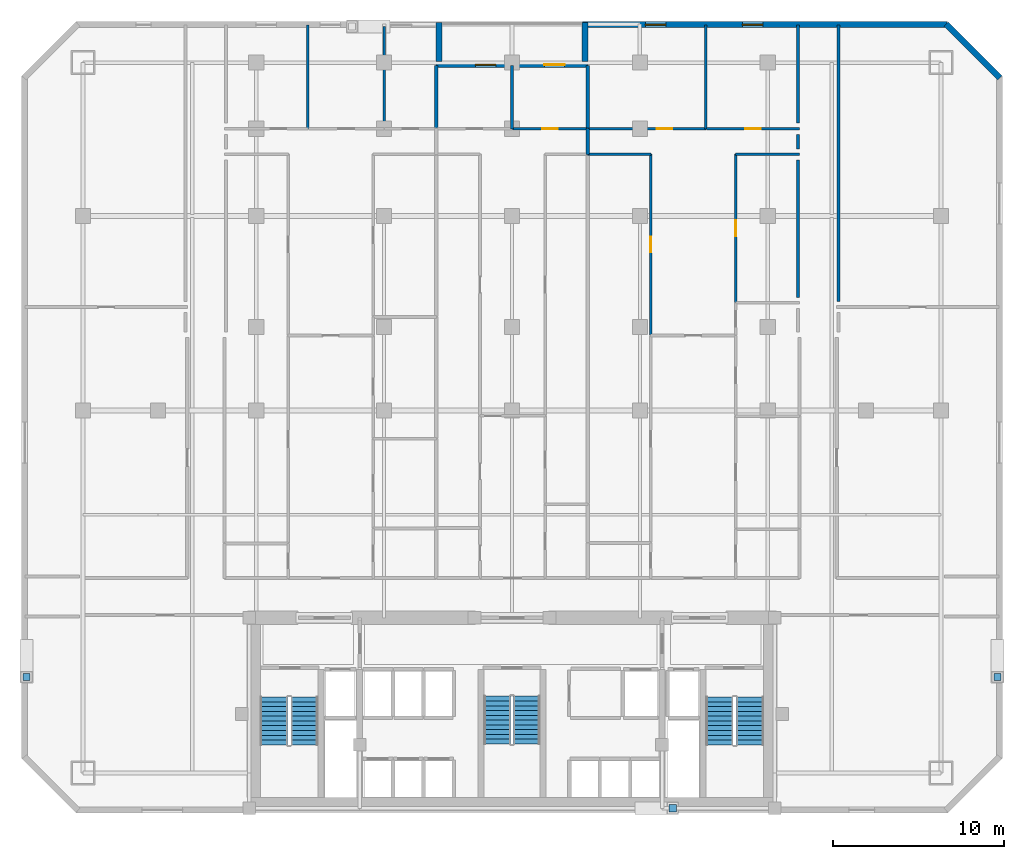
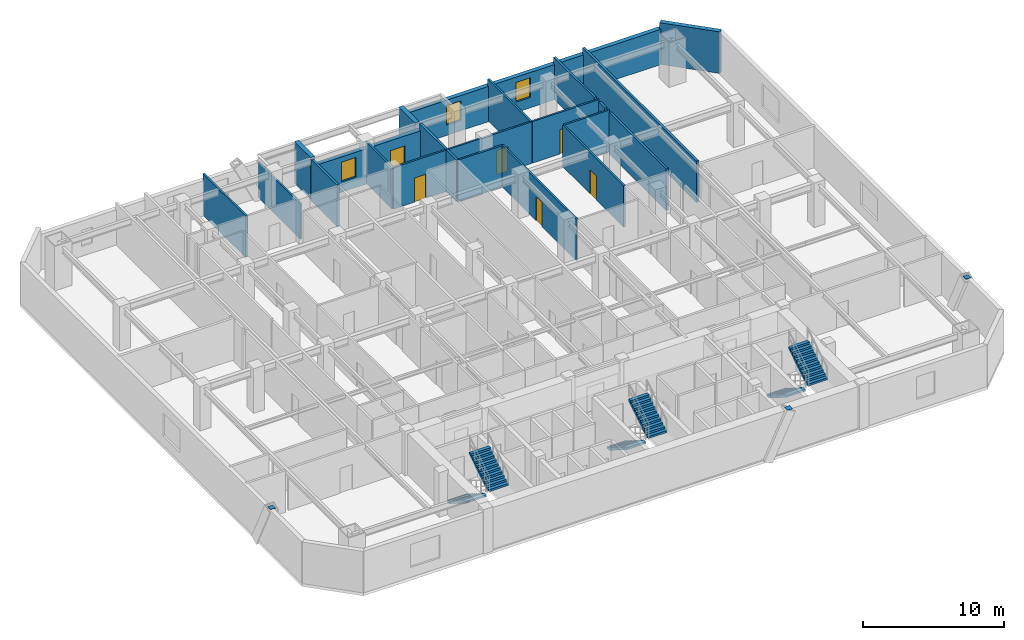
# One storey, part 7 of 9: 23 walls, 6 doors, 6 stair flights, 3 discrete accessories, 3 windows, 9 openings, 3 elements without a shape of their own.
"""IFC4 building model written with IfcOpenShell, lengths in metres."""

from ifc_helpers import new_model, si_unit, direction, frame, frame_2d, origin, origin_2d, place, context, subcontext, project, spatial, polyline, rectangle, outline, extrude, material, layer, layer_set, type_object, element, fill, aggregate, save


model = new_model("IFC4")

# Units and contexts
model_context = context("Model", 3, precision=1e-05, world=origin(), true_north=direction((0.0, 1.0)))
body_context = subcontext(model_context, "Body", "Model", "MODEL_VIEW")
ifc_project = project(units=[si_unit("LENGTHUNIT", "METRE"), si_unit("AREAUNIT", "SQUARE_METRE"), si_unit("VOLUMEUNIT", "CUBIC_METRE"), si_unit("PLANEANGLEUNIT", "RADIAN"), si_unit("MASSUNIT", "GRAM", prefix="KILO")], contexts=[model_context])

# Site, building, storey
site_placement = place(None, origin())
site = spatial("IfcSite", under=ifc_project, at=site_placement, CompositionType="ELEMENT")
building_placement = place(site_placement, origin())
building = spatial("IfcBuilding", under=site, at=building_placement, Name="Ventersveld Concourse Tower", CompositionType="ELEMENT")
storey_placement = place(building_placement, frame((0.0, 0.0, 45.199951171875)))
storey = spatial("IfcBuildingStorey", under=building, at=storey_placement, Name="L10", CompositionType="ELEMENT", Elevation=45.199951171875)

# Walls
ifc_material_1 = material(Name="Fire-rated autoclaved aerated masonry blockwork", Category="masonry")
ifc_layer_1 = layer(ifc_material_1, 0.179931640625)
ifc_layer_set_1 = layer_set([ifc_layer_1], Name="Fire-rated autoclaved aerated masonry blockwork")
wall_type_1 = type_object("IfcWallType", Name="WL-CORR-180", PredefinedType="PARTITIONING", material=ifc_layer_set_1)
wall_1_placement = place(storey_placement, frame((47.8798828125, 29.9951171875, 0.0), z_axis=(0.0, 0.0, 1.0), x_axis=(0.0, 1.0, 0.0)))
element("IfcWall", 1, at=wall_1_placement, inside=storey, type_object=wall_type_1, Name="L10 Room Enclosure Wall SP-L10-NELNG2", PredefinedType="PARTITIONING", context=body_context, shape_type="SweptSolid", body=[
    extrude(rectangle(XDim=16.19482421875, YDim=0.179931640625, at=frame_2d((8.097412109375, 0.0))), origin(), (0.0, 0.0, 1.0), 3.60009765625),
])
wall_2_placement = place(storey_placement, frame((45.52001953125, 39.794921875, 0.0), z_axis=(0.0, 0.0, 1.0), x_axis=(0.0, -1.0, 0.0)))
element("IfcWall", 2, at=wall_2_placement, inside=storey, type_object=wall_type_1, Name="L10 Room Enclosure Wall SP-L10-10CE-LIV", PredefinedType="PARTITIONING", context=body_context, shape_type="SweptSolid", body=[
    extrude(rectangle(XDim=0.849853515625, YDim=0.179931640625, at=frame_2d((0.4248046875, 0.0))), origin(), (0.0, 0.0, 1.0), 3.60009765625),
])
wall_3_placement = place(storey_placement, frame((45.52001953125, 38.294921875, 0.0), z_axis=(0.0, 0.0, 1.0), x_axis=(0.0, -1.0, 0.0)))
element("IfcWall", 3, at=wall_3_placement, inside=storey, type_object=wall_type_1, Name="L10 Room Enclosure Wall SP-L10-10CE-DENS2", PredefinedType="PARTITIONING", context=body_context, shape_type="SweptSolid", body=[
    extrude(rectangle(XDim=8.0615234375, YDim=0.179931640625, at=frame_2d((4.03076171875, 0.0))), origin(), (0.0, 0.0, 1.0), 3.60009765625),
])
wall_4_placement = place(storey_placement, frame((45.52001953125, 46.18994140625, 0.0), z_axis=(0.0, 0.0, 1.0), x_axis=(0.0, -1.0, 0.0)))
element("IfcWall", 4, at=wall_4_placement, inside=storey, type_object=wall_type_1, Name="L10 Room Enclosure Wall SP-L10-10CE-BR2", PredefinedType="PARTITIONING", context=body_context, shape_type="SweptSolid", body=[
    extrude(rectangle(XDim=5.744873046875, YDim=0.179931640625, at=frame_2d((2.87255859375, 0.0))), origin(), (0.0, 0.0, 1.0), 3.60009765625),
])
ifc_layer_2 = layer(ifc_material_1, 0.199951171875)
ifc_layer_set_2 = layer_set([ifc_layer_2], Name="Fire-rated autoclaved aerated masonry blockwork")
wall_type_2 = type_object("IfcWallType", Name="WL-DEMISE-200", PredefinedType="PARTITIONING", material=ifc_layer_set_2)
wall_5_placement = place(storey_placement, frame((24.31005859375, 40.155029296875, 0.0), z_axis=(0.0, 0.0, 1.0), x_axis=(0.0, 1.0, 0.0)))
element("IfcWall", 5, at=wall_5_placement, inside=storey, type_object=wall_type_2, Name="L10 Interior Partition SP-L10-10CW-BR3-SP-L10-10CM-BR1", PredefinedType="PARTITIONING", context=body_context, shape_type="SweptSolid", body=[
    extrude(rectangle(XDim=3.68505859375, YDim=0.199951171875, at=frame_2d((1.842529296875, 0.0))), origin(), (0.0, 0.0, 1.0), 3.60009765625),
])
wall_6_placement = place(storey_placement, frame((33.18994140625, 38.614990234375, 0.0), z_axis=(0.0, 0.0, 1.0), x_axis=(0.0, 1.0, 0.0)))
element("IfcWall", 6, at=wall_6_placement, inside=storey, type_object=wall_type_2, Name="L10 Interior Partition SP-L10-10CE-LIV-SP-L10-10CM-LIV", PredefinedType="PARTITIONING", context=body_context, shape_type="SweptSolid", body=[
    extrude(rectangle(XDim=1.510009765625, YDim=0.199951171875, at=frame_2d((0.7548828125, 0.0))), origin(), (0.0, 0.0, 1.0), 3.60009765625),
])
wall_7_placement = place(storey_placement, frame((33.18994140625, 40.155029296875, 0.0), z_axis=(0.0, 0.0, 1.0), x_axis=(0.0, 1.0, 0.0)))
element("IfcWall", 7, at=wall_7_placement, inside=storey, type_object=wall_type_2, Name="L10 Interior Partition SP-L10-10CE-BR1-SP-L10-10CM-BR2", PredefinedType="PARTITIONING", context=body_context, shape_type="SweptSolid", body=[
    extrude(rectangle(XDim=3.68505859375, YDim=0.199951171875, at=frame_2d((1.842529296875, 0.0))), origin(), (0.0, 0.0, 1.0), 3.60009765625),
])
ifc_material_2 = material(Name="Autoclaved aerated masonry blockwork", Category="masonry")
ifc_layer_3 = layer(ifc_material_2, 0.14990234375)
ifc_layer_set_3 = layer_set([ifc_layer_3], Name="Autoclaved aerated masonry blockwork")
wall_type_3 = type_object("IfcWallType", Name="WL-INT-150", PredefinedType="PARTITIONING", material=ifc_layer_set_3)
wall_8_placement = place(storey_placement, frame((16.7724609375, 40.114990234375, 0.0), z_axis=(0.0, 0.0, 1.0), x_axis=(0.0, 1.0, 0.0)))
element("IfcWall", 8, at=wall_8_placement, inside=storey, type_object=wall_type_3, Name="L10 Interior Partition SP-L10-10CW-BR1-SP-L10-10CW-BR2", PredefinedType="PARTITIONING", context=body_context, shape_type="SweptSolid", body=[
    extrude(rectangle(XDim=6.074951171875, YDim=0.14990234375, at=frame_2d((3.03759765625, 0.0))), origin(), (0.0, 0.0, 1.0), 3.60009765625),
])
wall_9_placement = place(storey_placement, frame((21.25, 40.114990234375, 0.0), z_axis=(0.0, 0.0, 1.0), x_axis=(0.0, 1.0, 0.0)))
element("IfcWall", 9, at=wall_9_placement, inside=storey, type_object=wall_type_3, Name="L10 Interior Partition SP-L10-10CW-BR2-SP-L10-10CW-BR3", PredefinedType="PARTITIONING", context=body_context, shape_type="SweptSolid", body=[
    extrude(rectangle(XDim=5.987060546875, YDim=0.14990234375, at=frame_2d((2.99365234375, 0.0))), origin(), (0.0, 0.0, 1.0), 3.0556640625),
])

# Wall, opening, door
wall_10_placement = place(storey_placement, frame((36.884521484375, 28.0341796875, 0.0), z_axis=(0.0, 0.0, 1.0), x_axis=(0.0, 1.0, 0.0)))
wall_10 = element("IfcWall", 10, at=wall_10_placement, inside=storey, type_object=wall_type_3, Name="L10 Interior Partition SP-L10-10CE-LIV-SP-L10-10CE-OFFL0", PredefinedType="PARTITIONING", context=body_context, shape_type="SweptSolid", body=[
    extrude(rectangle(XDim=10.5908203125, YDim=0.14990234375, at=frame_2d((5.29541015625, 0.0))), origin(), (0.0, 0.0, 1.0), 3.60009765625),
])
opening_1_placement = place(wall_10_placement, frame((4.835205078125, 0.0, 0.0)))
opening_1 = element("IfcOpeningElement", 11, at=opening_1_placement, cuts=wall_10, Name="Opening ID1", PredefinedType="OPENING", context=body_context, shape_type="SweptSolid", body=[
    extrude(rectangle(XDim=0.919921875, YDim=2.10009765625, at=frame_2d((0.4599609375, 1.050048828125))), frame((0.0, 0.0849609375, 0.0), z_axis=(0.0, -1.0, 0.0), x_axis=(1.0, 0.0, 0.0)), (0.0, 0.0, 1.0), 0.169921875),
])
ifc_material_3 = material(Name="Solid-core hardwood veneer timber", Category="wood")
door_type_1 = type_object("IfcDoorType", Name="DR-ROOM-092", OperationType="NOTDEFINED", PredefinedType="DOOR", material=ifc_material_3)
door_1_placement = place(opening_1_placement, origin())
door_1 = element("IfcDoor", 12, at=door_1_placement, inside=storey, type_object=door_type_1, Name="L10 Interior Door SP-L10-10CE-LIV to SP-L10-10CE-OFFL0 (D-L10-0397)", OperationType="SINGLE_SWING_LEFT", OverallHeight=2.10009765625, OverallWidth=0.919921875, PredefinedType="DOOR", context=body_context, shape_type="SweptSolid", body=[
    extrude(rectangle(XDim=0.919921875, YDim=2.10009765625, at=frame_2d((0.4599609375, 1.050048828125))), frame((0.0, 0.02490234375, 0.0), z_axis=(0.0, -1.0, 0.0), x_axis=(1.0, 0.0, 0.0)), (0.0, 0.0, 1.0), 0.050048828125),
])
fill(opening_1, door_1)

# Wall
wall_11_placement = place(storey_placement, frame((33.18505859375, 38.6201171875, 0.0), z_axis=(0.0, 0.0, 1.0), x_axis=(1.0, 0.0, 0.0)))
element("IfcWall", 13, at=wall_11_placement, inside=storey, type_object=wall_type_3, Name="L10 Interior Partition SP-L10-10CE-LIV-SP-L10-10CE-OFFL0", PredefinedType="PARTITIONING", context=body_context, shape_type="SweptSolid", body=[
    extrude(rectangle(XDim=3.704345703125, YDim=0.14990234375, at=frame_2d((1.85205078125, 0.0))), origin(), (0.0, 0.0, 1.0), 3.60009765625),
])

# Wall, opening, door
wall_12_placement = place(storey_placement, frame((41.864501953125, 29.943359375, 0.0), z_axis=(0.0, 0.0, 1.0), x_axis=(0.0, 1.0, 0.0)))
wall_12 = element("IfcWall", 14, at=wall_12_placement, inside=storey, type_object=wall_type_3, Name="L10 Interior Partition SP-L10-10CE-LIV-SP-L10-10CE-DENS2", PredefinedType="PARTITIONING", context=body_context, shape_type="SweptSolid", body=[
    extrude(rectangle(XDim=8.681640625, YDim=0.14990234375, at=frame_2d((4.3408203125, 0.0))), origin(), (0.0, 0.0, 1.0), 3.60009765625),
])
opening_2_placement = place(wall_12_placement, frame((3.880859375, 0.0, 0.0)))
opening_2 = element("IfcOpeningElement", 15, at=opening_2_placement, cuts=wall_12, Name="Opening ID1", PredefinedType="OPENING", context=body_context, shape_type="SweptSolid", body=[
    extrude(rectangle(XDim=0.919921875, YDim=2.10009765625, at=frame_2d((0.4599609375, 1.050048828125))), frame((0.0, 0.0849609375, 0.0), z_axis=(0.0, -1.0, 0.0), x_axis=(1.0, 0.0, 0.0)), (0.0, 0.0, 1.0), 0.169921875),
])
door_2_placement = place(opening_2_placement, origin())
door_2 = element("IfcDoor", 16, at=door_2_placement, inside=storey, type_object=door_type_1, Name="L10 Interior Door SP-L10-10CE-LIV to SP-L10-10CE-DENS2 (D-L10-0399)", OperationType="SINGLE_SWING_LEFT", OverallHeight=2.10009765625, OverallWidth=0.919921875, PredefinedType="DOOR", context=body_context, shape_type="SweptSolid", body=[
    extrude(rectangle(XDim=0.919921875, YDim=2.10009765625, at=frame_2d((0.4599609375, 1.050048828125))), frame((0.0, 0.02490234375, 0.0), z_axis=(0.0, -1.0, 0.0), x_axis=(1.0, 0.0, 0.0)), (0.0, 0.0, 1.0), 0.050048828125),
])
fill(opening_2, door_2)

# Wall
wall_13_placement = place(storey_placement, frame((41.859619140625, 38.6201171875, 0.0), z_axis=(0.0, 0.0, 1.0), x_axis=(1.0, 0.0, 0.0)))
element("IfcWall", 17, at=wall_13_placement, inside=storey, type_object=wall_type_3, Name="L10 Interior Partition SP-L10-10CE-LIV-SP-L10-10CE-DENS2", PredefinedType="PARTITIONING", context=body_context, shape_type="SweptSolid", body=[
    extrude(rectangle(XDim=3.75537109375, YDim=0.14990234375, at=frame_2d((1.877685546875, 0.0))), origin(), (0.0, 0.0, 1.0), 3.60009765625),
])

# Wall, opening, door
wall_14_placement = place(storey_placement, frame((33.18505859375, 40.1201171875, 0.0), z_axis=(0.0, 0.0, 1.0), x_axis=(1.0, 0.0, 0.0)))
wall_14 = element("IfcWall", 18, at=wall_14_placement, inside=storey, type_object=wall_type_3, Name="L10 Interior Partition SP-L10-10CE-LIV-SP-L10-10CE-BR1", PredefinedType="PARTITIONING", context=body_context, shape_type="SweptSolid", body=[
    extrude(rectangle(XDim=6.929443359375, YDim=0.14990234375, at=frame_2d((3.46484375, 0.0))), origin(), (0.0, 0.0, 1.0), 3.60009765625),
])
opening_3_placement = place(wall_14_placement, frame((4.044189453125, 0.0, 0.0)))
opening_3 = element("IfcOpeningElement", 19, at=opening_3_placement, cuts=wall_14, Name="Opening ID1", PredefinedType="OPENING", context=body_context, shape_type="SweptSolid", body=[
    extrude(rectangle(XDim=0.919921875, YDim=2.10009765625, at=frame_2d((0.4599609375, 1.050048828125))), frame((0.0, 0.0849609375, 0.0), z_axis=(0.0, -1.0, 0.0), x_axis=(1.0, 0.0, 0.0)), (0.0, 0.0, 1.0), 0.169921875),
])
door_3_placement = place(opening_3_placement, origin())
door_3 = element("IfcDoor", 20, at=door_3_placement, inside=storey, type_object=door_type_1, Name="L10 Interior Door SP-L10-10CE-LIV to SP-L10-10CE-BR1 (D-L10-0400)", OperationType="SINGLE_SWING_RIGHT", OverallHeight=2.10009765625, OverallWidth=0.919921875, PredefinedType="DOOR", context=body_context, shape_type="SweptSolid", body=[
    extrude(rectangle(XDim=0.919921875, YDim=2.10009765625, at=frame_2d((0.4599609375, 1.050048828125))), frame((0.0, 0.02490234375, 0.0), z_axis=(0.0, -1.0, 0.0), x_axis=(1.0, 0.0, 0.0)), (0.0, 0.0, 1.0), 0.050048828125),
])
fill(opening_3, door_3)

wall_15_placement = place(storey_placement, frame((40.144287109375, 40.1201171875, 0.0), z_axis=(0.0, 0.0, 1.0), x_axis=(1.0, 0.0, 0.0)))
wall_15 = element("IfcWall", 21, at=wall_15_placement, inside=storey, type_object=wall_type_3, Name="L10 Interior Partition SP-L10-10CE-LIV-SP-L10-10CE-BR2", PredefinedType="PARTITIONING", context=body_context, shape_type="SweptSolid", body=[
    extrude(rectangle(XDim=5.470703125, YDim=0.14990234375, at=frame_2d((2.7353515625, 0.0))), origin(), (0.0, 0.0, 1.0), 3.60009765625),
])
opening_4_placement = place(wall_15_placement, frame((2.275390625, 0.0, 0.0)))
opening_4 = element("IfcOpeningElement", 22, at=opening_4_placement, cuts=wall_15, Name="Opening ID1", PredefinedType="OPENING", context=body_context, shape_type="SweptSolid", body=[
    extrude(rectangle(XDim=0.919921875, YDim=2.10009765625, at=frame_2d((0.4599609375, 1.050048828125))), frame((0.0, 0.0849609375, 0.0), z_axis=(0.0, -1.0, 0.0), x_axis=(1.0, 0.0, 0.0)), (0.0, 0.0, 1.0), 0.169921875),
])
door_4_placement = place(opening_4_placement, origin())
door_4 = element("IfcDoor", 23, at=door_4_placement, inside=storey, type_object=door_type_1, Name="L10 Interior Door SP-L10-10CE-LIV to SP-L10-10CE-BR2 (D-L10-0401)", OperationType="SINGLE_SWING_LEFT", OverallHeight=2.10009765625, OverallWidth=0.919921875, PredefinedType="DOOR", context=body_context, shape_type="SweptSolid", body=[
    extrude(rectangle(XDim=0.919921875, YDim=2.10009765625, at=frame_2d((0.4599609375, 1.050048828125))), frame((0.0, 0.02490234375, 0.0), z_axis=(0.0, -1.0, 0.0), x_axis=(1.0, 0.0, 0.0)), (0.0, 0.0, 1.0), 0.050048828125),
])
fill(opening_4, door_4)

# Wall
wall_16_placement = place(storey_placement, frame((40.109375, 40.114990234375, 0.0), z_axis=(0.0, 0.0, 1.0), x_axis=(0.0, 1.0, 0.0)))
element("IfcWall", 24, at=wall_16_placement, inside=storey, type_object=wall_type_3, Name="L10 Interior Partition SP-L10-10CE-BR1-SP-L10-10CE-BR2", PredefinedType="PARTITIONING", context=body_context, shape_type="SweptSolid", body=[
    extrude(rectangle(XDim=6.074951171875, YDim=0.14990234375, at=frame_2d((3.03759765625, 0.0))), origin(), (0.0, 0.0, 1.0), 3.60009765625),
])

# Wall, opening, door
wall_17_placement = place(storey_placement, frame((28.784912109375, 40.1201171875, 0.0), z_axis=(0.0, 0.0, 1.0), x_axis=(1.0, 0.0, 0.0)))
wall_17 = element("IfcWall", 25, at=wall_17_placement, inside=storey, type_object=wall_type_3, Name="L10 Interior Partition SP-L10-10CM-LIV-SP-L10-10CM-BR2", PredefinedType="PARTITIONING", context=body_context, shape_type="SweptSolid", body=[
    extrude(rectangle(XDim=4.3701171875, YDim=0.14990234375, at=frame_2d((2.18505859375, 0.0))), origin(), (0.0, 0.0, 1.0), 3.60009765625),
])
opening_5_placement = place(wall_17_placement, frame((1.72509765625, 0.0, 0.0)))
opening_5 = element("IfcOpeningElement", 26, at=opening_5_placement, cuts=wall_17, Name="Opening ID1", PredefinedType="OPENING", context=body_context, shape_type="SweptSolid", body=[
    extrude(rectangle(XDim=0.919921875, YDim=2.10009765625, at=frame_2d((0.4599609375, 1.050048828125))), frame((0.0, 0.0849609375, 0.0), z_axis=(0.0, -1.0, 0.0), x_axis=(1.0, 0.0, 0.0)), (0.0, 0.0, 1.0), 0.169921875),
])
door_5_placement = place(opening_5_placement, origin())
door_5 = element("IfcDoor", 27, at=door_5_placement, inside=storey, type_object=door_type_1, Name="L10 Interior Door SP-L10-10CM-LIV to SP-L10-10CM-BR2 (D-L10-0410)", OperationType="SINGLE_SWING_RIGHT", OverallHeight=2.10009765625, OverallWidth=0.919921875, PredefinedType="DOOR", context=body_context, shape_type="SweptSolid", body=[
    extrude(rectangle(XDim=0.919921875, YDim=2.10009765625, at=frame_2d((0.4599609375, 1.050048828125))), frame((0.0, 0.02490234375, 0.0), z_axis=(0.0, -1.0, 0.0), x_axis=(1.0, 0.0, 0.0)), (0.0, 0.0, 1.0), 0.050048828125),
])
fill(opening_5, door_5)

# Walls
wall_18_placement = place(storey_placement, frame((28.75, 40.114990234375, 0.0), z_axis=(0.0, 0.0, 1.0), x_axis=(0.0, 1.0, 0.0)))
element("IfcWall", 28, at=wall_18_placement, inside=storey, type_object=wall_type_3, Name="L10 Interior Partition SP-L10-10CM-BR1-SP-L10-10CM-BR2", PredefinedType="PARTITIONING", context=body_context, shape_type="SweptSolid", body=[
    extrude(rectangle(XDim=3.72509765625, YDim=0.14990234375, at=frame_2d((1.862548828125, 0.0))), origin(), (0.0, 0.0, 1.0), 3.60009765625),
])
ifc_material_4 = material(Name="Precast concrete C45/55", Category="concrete")
ifc_layer_4 = layer(ifc_material_4, 0.35009765625)
ifc_layer_set_4 = layer_set([ifc_layer_4], Name="Precast concrete C45/55")
wall_type_4 = type_object("IfcWallType", Name="WL-PREC-350", PredefinedType="SOLIDWALL", material=ifc_layer_set_4)
wall_19_placement = place(storey_placement, frame((57.347900390625, 43.1044921875, 0.0), z_axis=(0.0, 0.0, 1.0), x_axis=(-0.707079321262, 0.707134240044, 0.0)))
element("IfcWall", 29, at=wall_19_placement, inside=storey, type_object=wall_type_4, Name="L10 Highveld Precast Facade Wall E04", PredefinedType="SOLIDWALL", context=body_context, shape_type="SweptSolid", body=[
    extrude(rectangle(XDim=4.445556640625, YDim=0.35009765625, at=frame_2d((2.22265625, 0.0))), origin(), (0.0, 0.0, 1.0), 3.60009765625),
])

# Wall, openings, windows
wall_20_placement = place(storey_placement, frame((54.260009765625, 46.22509765625, 0.0), z_axis=(0.0, 0.0, 1.0), x_axis=(-1.0, 0.0, 0.0)))
wall_20 = element("IfcWall", 30, at=wall_20_placement, inside=storey, type_object=wall_type_4, Name="L10 Highveld Precast Facade Wall E05", PredefinedType="SOLIDWALL", context=body_context, shape_type="SweptSolid", body=[
    extrude(rectangle(XDim=21.3701171875, YDim=0.35009765625, at=frame_2d((10.68505859375, 0.0))), origin(), (0.0, 0.0, 1.0), 3.0556640625),
])
opening_6_placement = place(wall_20_placement, frame((16.492919921875, 0.0, 0.89990234375)))
opening_6 = element("IfcOpeningElement", 31, at=opening_6_placement, cuts=wall_20, Name="Opening W3", PredefinedType="OPENING", context=body_context, shape_type="SweptSolid", body=[
    extrude(rectangle(XDim=1.199951171875, YDim=1.699951171875, at=frame_2d((0.60009765625, 0.85009765625))), frame((0.0, 0.18505859375, 0.0), z_axis=(0.0, -1.0, 0.0), x_axis=(1.0, 0.0, 0.0)), (0.0, 0.0, 1.0), 0.3701171875),
])
opening_7_placement = place(wall_20_placement, frame((10.80029296875, 0.0, 0.89990234375)))
opening_7 = element("IfcOpeningElement", 32, at=opening_7_placement, cuts=wall_20, Name="Opening W3", PredefinedType="OPENING", context=body_context, shape_type="SweptSolid", body=[
    extrude(rectangle(XDim=1.199951171875, YDim=1.699951171875, at=frame_2d((0.60009765625, 0.85009765625))), frame((0.0, 0.18505859375, 0.0), z_axis=(0.0, -1.0, 0.0), x_axis=(1.0, 0.0, 0.0)), (0.0, 0.0, 1.0), 0.3701171875),
])
ifc_material_5 = material(Name="Tempered acoustic Low-E IGU", Category="glass")
window_type = type_object("IfcWindowType", Name="WIN-120x180", PartitioningType="SINGLE_PANEL", PredefinedType="WINDOW", material=ifc_material_5)
window_1_placement = place(opening_6_placement, origin())
window_1 = element("IfcWindow", 33, at=window_1_placement, inside=storey, type_object=window_type, Name="L10 Punched Low-E Window W-0058", OverallHeight=1.699951171875, OverallWidth=1.199951171875, PartitioningType="SINGLE_PANEL", PredefinedType="WINDOW", context=body_context, shape_type="SweptSolid", body=[
    extrude(rectangle(XDim=1.199951171875, YDim=1.699951171875, at=frame_2d((0.60009765625, 0.85009765625))), frame((0.0, 0.030029296875, 0.0), z_axis=(0.0, -1.0, 0.0), x_axis=(1.0, 0.0, 0.0)), (0.0, 0.0, 1.0), 0.06005859375),
])
fill(opening_6, window_1)
window_2_placement = place(opening_7_placement, origin())
window_2 = element("IfcWindow", 34, at=window_2_placement, inside=storey, type_object=window_type, Name="L10 Punched Low-E Window W-0059", OverallHeight=1.699951171875, OverallWidth=1.199951171875, PartitioningType="SINGLE_PANEL", PredefinedType="WINDOW", context=body_context, shape_type="SweptSolid", body=[
    extrude(rectangle(XDim=1.199951171875, YDim=1.699951171875, at=frame_2d((0.60009765625, 0.85009765625))), frame((0.0, 0.030029296875, 0.0), z_axis=(0.0, -1.0, 0.0), x_axis=(1.0, 0.0, 0.0)), (0.0, 0.0, 1.0), 0.06005859375),
])
fill(opening_7, window_2)

# Wall
wall_21_placement = place(storey_placement, frame((33.02490234375, 46.360107421875, 0.0), z_axis=(0.0, 0.0, 1.0), x_axis=(0.0, -1.0, 0.0)))
element("IfcWall", 35, at=wall_21_placement, inside=storey, type_object=wall_type_4, Name="L10 Highveld Precast Facade Wall E06", PredefinedType="SOLIDWALL", context=body_context, shape_type="SweptSolid", body=[
    extrude(rectangle(XDim=2.31005859375, YDim=0.35009765625, at=frame_2d((1.155029296875, 0.0))), origin(), (0.0, 0.0, 1.0), 3.60009765625),
])

# Wall, openings, door, window
wall_22_placement = place(storey_placement, frame((33.199951171875, 43.875, 0.0), z_axis=(0.0, 0.0, 1.0), x_axis=(-1.0, 0.0, 0.0)))
wall_22 = element("IfcWall", 36, at=wall_22_placement, inside=storey, type_object=wall_type_4, Name="L10 Highveld Precast Facade Wall E07", PredefinedType="SOLIDWALL", context=body_context, shape_type="SweptSolid", body=[
    extrude(rectangle(XDim=8.89990234375, YDim=0.35009765625, at=frame_2d((4.449951171875, 0.0))), origin(), (0.0, 0.0, 1.0), 3.0556640625),
])
opening_8_placement = place(wall_22_placement, frame((1.35791015625, 0.0, 0.0)))
opening_8 = element("IfcOpeningElement", 37, at=opening_8_placement, cuts=wall_22, Name="Opening TD1", PredefinedType="OPENING", context=body_context, shape_type="SweptSolid", body=[
    extrude(rectangle(XDim=1.199951171875, YDim=2.199951171875, at=frame_2d((0.60009765625, 1.10009765625))), frame((0.0, 0.18505859375, 0.0), z_axis=(0.0, -1.0, 0.0), x_axis=(1.0, 0.0, 0.0)), (0.0, 0.0, 1.0), 0.3701171875),
])
opening_9_placement = place(wall_22_placement, frame((5.391357421875, 0.0, 0.89990234375)))
opening_9 = element("IfcOpeningElement", 38, at=opening_9_placement, cuts=wall_22, Name="Opening W3", PredefinedType="OPENING", context=body_context, shape_type="SweptSolid", body=[
    extrude(rectangle(XDim=1.199951171875, YDim=1.699951171875, at=frame_2d((0.60009765625, 0.85009765625))), frame((0.0, 0.18505859375, 0.0), z_axis=(0.0, -1.0, 0.0), x_axis=(1.0, 0.0, 0.0)), (0.0, 0.0, 1.0), 0.3701171875),
])
ifc_material_6 = material(Name="Anodised aluminium EN AW-6063-T6", Category="aluminium")
door_type_2 = type_object("IfcDoorType", Name="DR-TERR-120", OperationType="NOTDEFINED", PredefinedType="DOOR", material=ifc_material_6)
door_6_placement = place(opening_8_placement, frame((1.199951171875, 0.0, 0.0), z_axis=(0.0, 0.0, 1.0), x_axis=(-1.0, 0.0, 0.0)))
door_6 = element("IfcDoor", 39, at=door_6_placement, inside=storey, type_object=door_type_2, Name="L10 Stepped Valley Terrace Door TD-L10-01", OperationType="SINGLE_SWING_LEFT", OverallHeight=2.199951171875, OverallWidth=1.199951171875, PredefinedType="DOOR", context=body_context, shape_type="SweptSolid", body=[
    extrude(rectangle(XDim=1.199951171875, YDim=2.199951171875, at=frame_2d((0.60009765625, 1.10009765625))), frame((0.0, 0.02490234375, 0.0), z_axis=(0.0, -1.0, 0.0), x_axis=(1.0, 0.0, 0.0)), (0.0, 0.0, 1.0), 0.050048828125),
])
fill(opening_8, door_6)
window_3_placement = place(opening_9_placement, origin())
window_3 = element("IfcWindow", 40, at=window_3_placement, inside=storey, type_object=window_type, Name="L10 Punched Low-E Window W-0060", OverallHeight=1.699951171875, OverallWidth=1.199951171875, PartitioningType="SINGLE_PANEL", PredefinedType="WINDOW", context=body_context, shape_type="SweptSolid", body=[
    extrude(rectangle(XDim=1.199951171875, YDim=1.699951171875, at=frame_2d((0.60009765625, 0.85009765625))), frame((0.0, 0.030029296875, 0.0), z_axis=(0.0, -1.0, 0.0), x_axis=(1.0, 0.0, 0.0)), (0.0, 0.0, 1.0), 0.06005859375),
])
fill(opening_9, window_3)

# Wall
wall_23_placement = place(storey_placement, frame((24.47509765625, 44.050048828125, 0.0), z_axis=(0.0, 0.0, 1.0), x_axis=(0.0, 1.0, 0.0)))
element("IfcWall", 41, at=wall_23_placement, inside=storey, type_object=wall_type_4, Name="L10 Highveld Precast Facade Wall E08", PredefinedType="SOLIDWALL", context=body_context, shape_type="SweptSolid", body=[
    extrude(rectangle(XDim=2.31005859375, YDim=0.35009765625, at=frame_2d((1.155029296875, 0.0))), origin(), (0.0, 0.0, 1.0), 3.60009765625),
])

# Stair, stair flights
ifc_material_7 = material(Name="Concrete C50/60", Category="concrete")
stair_type_1 = type_object("IfcStairType", Name="ST-DOG-155", PredefinedType="HALF_TURN_STAIR", material=ifc_material_7)
stair_1_placement = place(storey_placement, origin())
stair_1 = element("IfcStair", 42, at=stair_1_placement, inside=storey, type_object=stair_type_1, Name="L10 Protected Central Core Escape Stair ST-03", PredefinedType="HALF_TURN_STAIR")
stair_flight_type_1 = type_object("IfcStairFlightType", Name="STF-RC-155", PredefinedType="STRAIGHT", material=ifc_material_7)
stair_flight_1_placement = place(storey_placement, frame((27.875, 6.85009765625, 0.0), z_axis=(0.0, 0.0, 1.0), x_axis=(0.0, -1.0, 0.0)))
stair_flight_1 = element("IfcStairFlight", 43, at=stair_flight_1_placement, type_object=stair_flight_type_1, Name="ST-03 flight 1", NumberOfRisers=11, NumberOfTreads=10, PredefinedType="STRAIGHT", RiserHeight=0.175, TreadLength=0.28, context=body_context, shape_type="SweptSolid", body=[
    extrude(outline(polyline([(0.0, 0.0), (0.0, 0.175048828125), (0.280029296875, 0.175048828125), (0.280029296875, 0.35009765625), (0.56005859375, 0.35009765625), (0.56005859375, 0.52490234375), (0.840087890625, 0.52490234375), (0.840087890625, 0.699951171875), (1.1201171875, 0.699951171875), (1.1201171875, 0.875), (1.39990234375, 0.875), (1.39990234375, 1.050048828125), (1.679931640625, 1.050048828125), (1.679931640625, 1.22509765625), (1.9599609375, 1.22509765625), (1.9599609375, 1.39990234375), (2.239990234375, 1.39990234375), (2.239990234375, 1.574951171875), (2.52001953125, 1.574951171875), (2.52001953125, 1.75), (2.800048828125, 1.75), (2.800048828125, 1.925048828125), (2.800048828125, 1.5732421875), (0.28271484375, 0.0), (0.0, 0.0)])), frame((0.0, 0.77490234375, 0.0), z_axis=(0.0, -1.0, 0.0), x_axis=(1.0, 0.0, 0.0)), (0.0, 0.0, 1.0), 1.550048828125),
])
stair_flight_2_placement = place(storey_placement, frame((29.625, 4.050048828125, 1.925048828125), z_axis=(0.0, 0.0, 1.0), x_axis=(0.0, 1.0, 0.0)))
stair_flight_2 = element("IfcStairFlight", 44, at=stair_flight_2_placement, type_object=stair_flight_type_1, Name="ST-03 flight 2", NumberOfRisers=11, NumberOfTreads=10, PredefinedType="STRAIGHT", RiserHeight=0.175, TreadLength=0.28, context=body_context, shape_type="SweptSolid", body=[
    extrude(outline(polyline([(0.0, 0.0), (0.0, 0.175048828125), (0.280029296875, 0.175048828125), (0.280029296875, 0.35009765625), (0.56005859375, 0.35009765625), (0.56005859375, 0.52490234375), (0.840087890625, 0.52490234375), (0.840087890625, 0.699951171875), (1.1201171875, 0.699951171875), (1.1201171875, 0.875), (1.39990234375, 0.875), (1.39990234375, 1.050048828125), (1.679931640625, 1.050048828125), (1.679931640625, 1.22509765625), (1.9599609375, 1.22509765625), (1.9599609375, 1.39990234375), (2.239990234375, 1.39990234375), (2.239990234375, 1.574951171875), (2.52001953125, 1.574951171875), (2.52001953125, 1.75), (2.800048828125, 1.75), (2.800048828125, 1.925048828125), (2.800048828125, 1.5732421875), (0.28271484375, 0.0), (0.0, 0.0)])), frame((0.0, 0.77490234375, 0.0), z_axis=(0.0, -1.0, 0.0), x_axis=(1.0, 0.0, 0.0)), (0.0, 0.0, 1.0), 1.550048828125),
])
aggregate(stair_1, [stair_flight_1, stair_flight_2])

stair_type_2 = type_object("IfcStairType", Name="ST-DOG-160", PredefinedType="HALF_TURN_STAIR", material=ifc_material_7)
stair_2_placement = place(storey_placement, origin())
stair_2 = element("IfcStair", 45, at=stair_2_placement, inside=storey, type_object=stair_type_2, Name="L10 Protected Tower Escape Stair ST-01", PredefinedType="HALF_TURN_STAIR")
stair_flight_type_2 = type_object("IfcStairFlightType", Name="STF-RC-160", PredefinedType="STRAIGHT", material=ifc_material_7)
stair_flight_3_placement = place(storey_placement, frame((14.780029296875, 6.800048828125, 0.0), z_axis=(0.0, 0.0, 1.0), x_axis=(0.0, -1.0, 0.0)))
stair_flight_3 = element("IfcStairFlight", 46, at=stair_flight_3_placement, type_object=stair_flight_type_2, Name="ST-01 flight 1", NumberOfRisers=11, NumberOfTreads=10, PredefinedType="STRAIGHT", RiserHeight=0.175, TreadLength=0.28, context=body_context, shape_type="SweptSolid", body=[
    extrude(outline(polyline([(0.0, 0.0), (0.0, 0.175048828125), (0.280029296875, 0.175048828125), (0.280029296875, 0.35009765625), (0.56005859375, 0.35009765625), (0.56005859375, 0.52490234375), (0.840087890625, 0.52490234375), (0.840087890625, 0.699951171875), (1.1201171875, 0.699951171875), (1.1201171875, 0.875), (1.39990234375, 0.875), (1.39990234375, 1.050048828125), (1.679931640625, 1.050048828125), (1.679931640625, 1.22509765625), (1.9599609375, 1.22509765625), (1.9599609375, 1.39990234375), (2.239990234375, 1.39990234375), (2.239990234375, 1.574951171875), (2.52001953125, 1.574951171875), (2.52001953125, 1.75), (2.800048828125, 1.75), (2.800048828125, 1.925048828125), (2.800048828125, 1.5732421875), (0.28271484375, 0.0), (0.0, 0.0)])), frame((0.0, 0.800048828125, 0.0), z_axis=(0.0, -1.0, 0.0), x_axis=(1.0, 0.0, 0.0)), (0.0, 0.0, 1.0), 1.60009765625),
])
stair_flight_4_placement = place(storey_placement, frame((16.580078125, 4.0, 1.925048828125), z_axis=(0.0, 0.0, 1.0), x_axis=(0.0, 1.0, 0.0)))
stair_flight_4 = element("IfcStairFlight", 47, at=stair_flight_4_placement, type_object=stair_flight_type_2, Name="ST-01 flight 2", NumberOfRisers=11, NumberOfTreads=10, PredefinedType="STRAIGHT", RiserHeight=0.175, TreadLength=0.28, context=body_context, shape_type="SweptSolid", body=[
    extrude(outline(polyline([(0.0, 0.0), (0.0, 0.175048828125), (0.280029296875, 0.175048828125), (0.280029296875, 0.35009765625), (0.56005859375, 0.35009765625), (0.56005859375, 0.52490234375), (0.840087890625, 0.52490234375), (0.840087890625, 0.699951171875), (1.1201171875, 0.699951171875), (1.1201171875, 0.875), (1.39990234375, 0.875), (1.39990234375, 1.050048828125), (1.679931640625, 1.050048828125), (1.679931640625, 1.22509765625), (1.9599609375, 1.22509765625), (1.9599609375, 1.39990234375), (2.239990234375, 1.39990234375), (2.239990234375, 1.574951171875), (2.52001953125, 1.574951171875), (2.52001953125, 1.75), (2.800048828125, 1.75), (2.800048828125, 1.925048828125), (2.800048828125, 1.5732421875), (0.28271484375, 0.0), (0.0, 0.0)])), frame((0.0, 0.800048828125, 0.0), z_axis=(0.0, -1.0, 0.0), x_axis=(1.0, 0.0, 0.0)), (0.0, 0.0, 1.0), 1.60009765625),
])
aggregate(stair_2, [stair_flight_3, stair_flight_4])

stair_3_placement = place(storey_placement, origin())
stair_3 = element("IfcStair", 48, at=stair_3_placement, inside=storey, type_object=stair_type_2, Name="L10 Protected Tower Escape Stair ST-02", PredefinedType="HALF_TURN_STAIR")
stair_flight_5_placement = place(storey_placement, frame((40.919921875, 6.800048828125, 0.0), z_axis=(0.0, 0.0, 1.0), x_axis=(0.0, -1.0, 0.0)))
stair_flight_5 = element("IfcStairFlight", 49, at=stair_flight_5_placement, type_object=stair_flight_type_2, Name="ST-02 flight 1", NumberOfRisers=11, NumberOfTreads=10, PredefinedType="STRAIGHT", RiserHeight=0.175, TreadLength=0.28, context=body_context, shape_type="SweptSolid", body=[
    extrude(outline(polyline([(0.0, 0.0), (0.0, 0.175048828125), (0.280029296875, 0.175048828125), (0.280029296875, 0.35009765625), (0.56005859375, 0.35009765625), (0.56005859375, 0.52490234375), (0.840087890625, 0.52490234375), (0.840087890625, 0.699951171875), (1.1201171875, 0.699951171875), (1.1201171875, 0.875), (1.39990234375, 0.875), (1.39990234375, 1.050048828125), (1.679931640625, 1.050048828125), (1.679931640625, 1.22509765625), (1.9599609375, 1.22509765625), (1.9599609375, 1.39990234375), (2.239990234375, 1.39990234375), (2.239990234375, 1.574951171875), (2.52001953125, 1.574951171875), (2.52001953125, 1.75), (2.800048828125, 1.75), (2.800048828125, 1.925048828125), (2.800048828125, 1.5732421875), (0.28271484375, 0.0), (0.0, 0.0)])), frame((0.0, 0.800048828125, 0.0), z_axis=(0.0, -1.0, 0.0), x_axis=(1.0, 0.0, 0.0)), (0.0, 0.0, 1.0), 1.60009765625),
])
stair_flight_6_placement = place(storey_placement, frame((42.719970703125, 4.0, 1.925048828125), z_axis=(0.0, 0.0, 1.0), x_axis=(0.0, 1.0, 0.0)))
stair_flight_6 = element("IfcStairFlight", 50, at=stair_flight_6_placement, type_object=stair_flight_type_2, Name="ST-02 flight 2", NumberOfRisers=11, NumberOfTreads=10, PredefinedType="STRAIGHT", RiserHeight=0.175, TreadLength=0.28, context=body_context, shape_type="SweptSolid", body=[
    extrude(outline(polyline([(0.0, 0.0), (0.0, 0.175048828125), (0.280029296875, 0.175048828125), (0.280029296875, 0.35009765625), (0.56005859375, 0.35009765625), (0.56005859375, 0.52490234375), (0.840087890625, 0.52490234375), (0.840087890625, 0.699951171875), (1.1201171875, 0.699951171875), (1.1201171875, 0.875), (1.39990234375, 0.875), (1.39990234375, 1.050048828125), (1.679931640625, 1.050048828125), (1.679931640625, 1.22509765625), (1.9599609375, 1.22509765625), (1.9599609375, 1.39990234375), (2.239990234375, 1.39990234375), (2.239990234375, 1.574951171875), (2.52001953125, 1.574951171875), (2.52001953125, 1.75), (2.800048828125, 1.75), (2.800048828125, 1.925048828125), (2.800048828125, 1.5732421875), (0.28271484375, 0.0), (0.0, 0.0)])), frame((0.0, 0.800048828125, 0.0), z_axis=(0.0, -1.0, 0.0), x_axis=(1.0, 0.0, 0.0)), (0.0, 0.0, 1.0), 1.60009765625),
])
aggregate(stair_3, [stair_flight_5, stair_flight_6])

# Discrete accessories
ifc_material_8 = material(Name="Structural steel S355J2", Category="steel")
discrete_accessory_type = type_object("IfcDiscreteAccessoryType", Name="CONN-BRACE-ECP1", PredefinedType="BRACKET", material=ifc_material_8)
for number, where, z_axis, x_axis, name in (
    (51, (38.175048828125, 0.280029296875, 3.580078125), (0.0, 0.0, 1.0), (1.0, 0.0, 0.0), "L10 Steel Brace End Connection Plate ECP1-0221"),
    (52, (0.280029296875, 7.97509765625, 3.580078125), (0.0, 0.0, 1.0), (1.0, 0.0, 0.0), "L10 Steel Brace End Connection Plate ECP1-0225"),
    (53, (57.219970703125, 7.97509765625, 3.580078125), (0.0, 0.0, 1.0), (1.0, 0.0, 0.0), "L10 Steel Brace End Connection Plate ECP1-0229"),
):
    element("IfcDiscreteAccessory", number, at=place(storey_placement, frame(where, z_axis=z_axis, x_axis=x_axis)), inside=storey, type_object=discrete_accessory_type, Name=name, PredefinedType="BRACKET", context=body_context, shape_type="SweptSolid", body=[
        extrude(rectangle(XDim=0.419921875, YDim=0.419921875, at=origin_2d()), origin(), (0.0, 0.0, 1.0), 0.0400390625),
    ])

save(model, "model.ifc")
